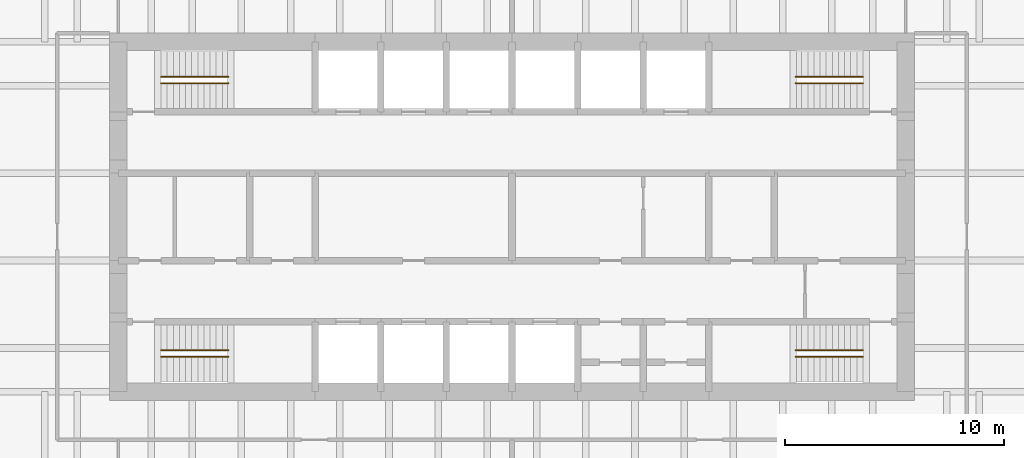
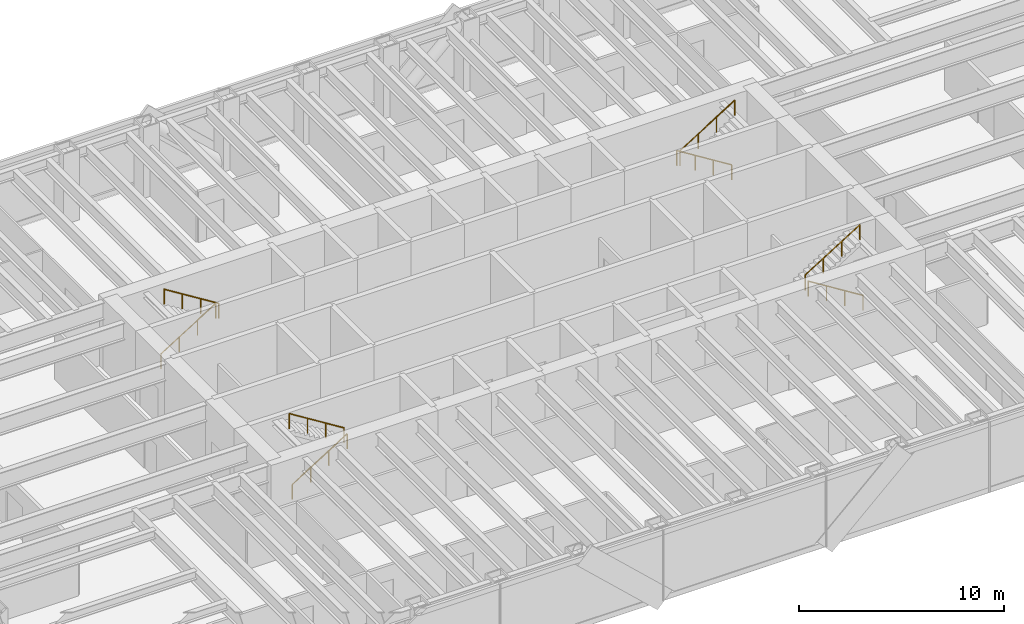
# One storey, part 15 of 15: 8 railings.
"""IFC4 building model written with IfcOpenShell, lengths in metres."""

from ifc_helpers import new_model, si_unit, direction, frame, origin, origin_2d, place, context, subcontext, project, spatial, circle, extrude, material, type_object, element, save


model = new_model("IFC4")

# Units and contexts
model_context = context("Model", 3, precision=1e-05, world=origin(), true_north=direction((0.0, 1.0)))
body_context = subcontext(model_context, "Body", "Model", "MODEL_VIEW")
ifc_project = project(units=[si_unit("LENGTHUNIT", "METRE"), si_unit("AREAUNIT", "SQUARE_METRE"), si_unit("VOLUMEUNIT", "CUBIC_METRE"), si_unit("PLANEANGLEUNIT", "RADIAN"), si_unit("MASSUNIT", "GRAM", prefix="KILO")], contexts=[model_context])

# Site, building, storey
site_placement = place(None, origin())
site = spatial("IfcSite", under=ifc_project, at=site_placement, CompositionType="ELEMENT")
building_placement = place(site_placement, origin())
building = spatial("IfcBuilding", under=site, at=building_placement, Name="Rheinbord Bourse Tower", CompositionType="ELEMENT")
storey_placement = place(building_placement, frame((0.0, 0.0, 248.800048828125)))
storey = spatial("IfcBuildingStorey", under=building, at=storey_placement, Name="L56", CompositionType="ELEMENT", Elevation=248.800048828125)

# Railings
ifc_material = material(Name="Steel handrail", Category="steel")
railing_type = type_object("IfcRailingType", Name="HANDRAIL 900", PredefinedType="HANDRAIL", material=ifc_material)
railing_1_placement = place(storey_placement, frame((19.949951171875, 17.60009765625, 0.175048828125)))
element("IfcRailing", 1, at=railing_1_placement, inside=storey, type_object=railing_type, Name="Handrail", PredefinedType="HANDRAIL", context=body_context, shape_type="SweptSolid", body=[
    extrude(circle(Radius=0.02392578125, at=origin_2d()), frame((0.0, 0.0, 0.8759765625), z_axis=(0.848028513186, 0.0, 0.529950602248), x_axis=(0.0, 1.0, 0.0)), (0.0, 0.0, 1.0), 3.632080078125),
    extrude(circle(Radius=0.02099609375, at=origin_2d()), origin(), (0.0, 0.0, 1.0), 0.851806640625),
    extrude(circle(Radius=0.02099609375, at=origin_2d()), frame((1.026611328125, 0.0, 0.6416015625)), (0.0, 0.0, 1.0), 0.851806640625),
    extrude(circle(Radius=0.02099609375, at=origin_2d()), frame((2.053466796875, 0.0, 1.283203125)), (0.0, 0.0, 1.0), 0.851806640625),
    extrude(circle(Radius=0.02099609375, at=origin_2d()), frame((3.080078125, 0.0, 1.9248046875)), (0.0, 0.0, 1.0), 0.851806640625),
])
railing_2_placement = place(storey_placement, frame((23.030029296875, 17.89990234375, 2.27490234375)))
element("IfcRailing", 2, at=railing_2_placement, inside=storey, type_object=railing_type, Name="Handrail", PredefinedType="HANDRAIL", context=body_context, shape_type="SweptSolid", body=[
    extrude(circle(Radius=0.02392578125, at=origin_2d()), frame((0.0, 0.0, 0.8759765625), z_axis=(-0.847998304005, 0.0, 0.529998940003), x_axis=(0.0, -1.0, 0.0)), (0.0, 0.0, 1.0), 3.632080078125),
    extrude(circle(Radius=0.02099609375, at=origin_2d()), origin(), (0.0, 0.0, 1.0), 0.851806640625),
    extrude(circle(Radius=0.02099609375, at=origin_2d()), frame((-1.026611328125, 0.0, 0.6416015625)), (0.0, 0.0, 1.0), 0.851806640625),
    extrude(circle(Radius=0.02099609375, at=origin_2d()), frame((-2.053466796875, 0.0, 1.283447265625)), (0.0, 0.0, 1.0), 0.851806640625),
    extrude(circle(Radius=0.02099609375, at=origin_2d()), frame((-3.080078125, 0.0, 1.925048828125)), (0.0, 0.0, 1.0), 0.851806640625),
])
railing_3_placement = place(storey_placement, frame((19.949951171875, 30.39990234375, 0.175048828125)))
element("IfcRailing", 3, at=railing_3_placement, inside=storey, type_object=railing_type, Name="Handrail", PredefinedType="HANDRAIL", context=body_context, shape_type="SweptSolid", body=[
    extrude(circle(Radius=0.02392578125, at=origin_2d()), frame((0.0, 0.0, 0.8759765625), z_axis=(0.848028513186, 0.0, 0.529950602248), x_axis=(0.0, 1.0, 0.0)), (0.0, 0.0, 1.0), 3.632080078125),
    extrude(circle(Radius=0.02099609375, at=origin_2d()), origin(), (0.0, 0.0, 1.0), 0.851806640625),
    extrude(circle(Radius=0.02099609375, at=origin_2d()), frame((1.026611328125, 0.0, 0.6416015625)), (0.0, 0.0, 1.0), 0.851806640625),
    extrude(circle(Radius=0.02099609375, at=origin_2d()), frame((2.053466796875, 0.0, 1.283203125)), (0.0, 0.0, 1.0), 0.851806640625),
    extrude(circle(Radius=0.02099609375, at=origin_2d()), frame((3.080078125, 0.0, 1.9248046875)), (0.0, 0.0, 1.0), 0.851806640625),
])
railing_4_placement = place(storey_placement, frame((23.030029296875, 30.10009765625, 2.27490234375)))
element("IfcRailing", 4, at=railing_4_placement, inside=storey, type_object=railing_type, Name="Handrail", PredefinedType="HANDRAIL", context=body_context, shape_type="SweptSolid", body=[
    extrude(circle(Radius=0.02392578125, at=origin_2d()), frame((0.0, 0.0, 0.8759765625), z_axis=(-0.847998304005, 0.0, 0.529998940003), x_axis=(0.0, -1.0, 0.0)), (0.0, 0.0, 1.0), 3.632080078125),
    extrude(circle(Radius=0.02099609375, at=origin_2d()), origin(), (0.0, 0.0, 1.0), 0.851806640625),
    extrude(circle(Radius=0.02099609375, at=origin_2d()), frame((-1.026611328125, 0.0, 0.6416015625)), (0.0, 0.0, 1.0), 0.851806640625),
    extrude(circle(Radius=0.02099609375, at=origin_2d()), frame((-2.053466796875, 0.0, 1.283447265625)), (0.0, 0.0, 1.0), 0.851806640625),
    extrude(circle(Radius=0.02099609375, at=origin_2d()), frame((-3.080078125, 0.0, 1.925048828125)), (0.0, 0.0, 1.0), 0.851806640625),
])
railing_5_placement = place(storey_placement, frame((52.050048828125, 17.60009765625, 0.175048828125)))
element("IfcRailing", 5, at=railing_5_placement, inside=storey, type_object=railing_type, Name="Handrail", PredefinedType="HANDRAIL", context=body_context, shape_type="SweptSolid", body=[
    extrude(circle(Radius=0.02392578125, at=origin_2d()), frame((0.0, 0.0, 0.8759765625), z_axis=(-0.848028513186, 0.0, 0.529950602248), x_axis=(0.0, -1.0, 0.0)), (0.0, 0.0, 1.0), 3.632080078125),
    extrude(circle(Radius=0.02099609375, at=origin_2d()), origin(), (0.0, 0.0, 1.0), 0.851806640625),
    extrude(circle(Radius=0.02099609375, at=origin_2d()), frame((-1.026611328125, 0.0, 0.6416015625)), (0.0, 0.0, 1.0), 0.851806640625),
    extrude(circle(Radius=0.02099609375, at=origin_2d()), frame((-2.053466796875, 0.0, 1.283203125)), (0.0, 0.0, 1.0), 0.851806640625),
    extrude(circle(Radius=0.02099609375, at=origin_2d()), frame((-3.080078125, 0.0, 1.9248046875)), (0.0, 0.0, 1.0), 0.851806640625),
])
railing_6_placement = place(storey_placement, frame((48.969970703125, 17.89990234375, 2.27490234375)))
element("IfcRailing", 6, at=railing_6_placement, inside=storey, type_object=railing_type, Name="Handrail", PredefinedType="HANDRAIL", context=body_context, shape_type="SweptSolid", body=[
    extrude(circle(Radius=0.02392578125, at=origin_2d()), frame((0.0, 0.0, 0.8759765625), z_axis=(0.847998304005, 0.0, 0.529998940003), x_axis=(0.0, 1.0, 0.0)), (0.0, 0.0, 1.0), 3.632080078125),
    extrude(circle(Radius=0.02099609375, at=origin_2d()), origin(), (0.0, 0.0, 1.0), 0.851806640625),
    extrude(circle(Radius=0.02099609375, at=origin_2d()), frame((1.026611328125, 0.0, 0.6416015625)), (0.0, 0.0, 1.0), 0.851806640625),
    extrude(circle(Radius=0.02099609375, at=origin_2d()), frame((2.053466796875, 0.0, 1.283447265625)), (0.0, 0.0, 1.0), 0.851806640625),
    extrude(circle(Radius=0.02099609375, at=origin_2d()), frame((3.080078125, 0.0, 1.925048828125)), (0.0, 0.0, 1.0), 0.851806640625),
])
railing_7_placement = place(storey_placement, frame((52.050048828125, 30.39990234375, 0.175048828125)))
element("IfcRailing", 7, at=railing_7_placement, inside=storey, type_object=railing_type, Name="Handrail", PredefinedType="HANDRAIL", context=body_context, shape_type="SweptSolid", body=[
    extrude(circle(Radius=0.02392578125, at=origin_2d()), frame((0.0, 0.0, 0.8759765625), z_axis=(-0.848028513186, 0.0, 0.529950602248), x_axis=(0.0, -1.0, 0.0)), (0.0, 0.0, 1.0), 3.632080078125),
    extrude(circle(Radius=0.02099609375, at=origin_2d()), origin(), (0.0, 0.0, 1.0), 0.851806640625),
    extrude(circle(Radius=0.02099609375, at=origin_2d()), frame((-1.026611328125, 0.0, 0.6416015625)), (0.0, 0.0, 1.0), 0.851806640625),
    extrude(circle(Radius=0.02099609375, at=origin_2d()), frame((-2.053466796875, 0.0, 1.283203125)), (0.0, 0.0, 1.0), 0.851806640625),
    extrude(circle(Radius=0.02099609375, at=origin_2d()), frame((-3.080078125, 0.0, 1.9248046875)), (0.0, 0.0, 1.0), 0.851806640625),
])
railing_8_placement = place(storey_placement, frame((48.969970703125, 30.10009765625, 2.27490234375)))
element("IfcRailing", 8, at=railing_8_placement, inside=storey, type_object=railing_type, Name="Handrail", PredefinedType="HANDRAIL", context=body_context, shape_type="SweptSolid", body=[
    extrude(circle(Radius=0.02392578125, at=origin_2d()), frame((0.0, 0.0, 0.8759765625), z_axis=(0.847998304005, 0.0, 0.529998940003), x_axis=(0.0, 1.0, 0.0)), (0.0, 0.0, 1.0), 3.632080078125),
    extrude(circle(Radius=0.02099609375, at=origin_2d()), origin(), (0.0, 0.0, 1.0), 0.851806640625),
    extrude(circle(Radius=0.02099609375, at=origin_2d()), frame((1.026611328125, 0.0, 0.6416015625)), (0.0, 0.0, 1.0), 0.851806640625),
    extrude(circle(Radius=0.02099609375, at=origin_2d()), frame((2.053466796875, 0.0, 1.283447265625)), (0.0, 0.0, 1.0), 0.851806640625),
    extrude(circle(Radius=0.02099609375, at=origin_2d()), frame((3.080078125, 0.0, 1.925048828125)), (0.0, 0.0, 1.0), 0.851806640625),
])

save(model, "model.ifc")
